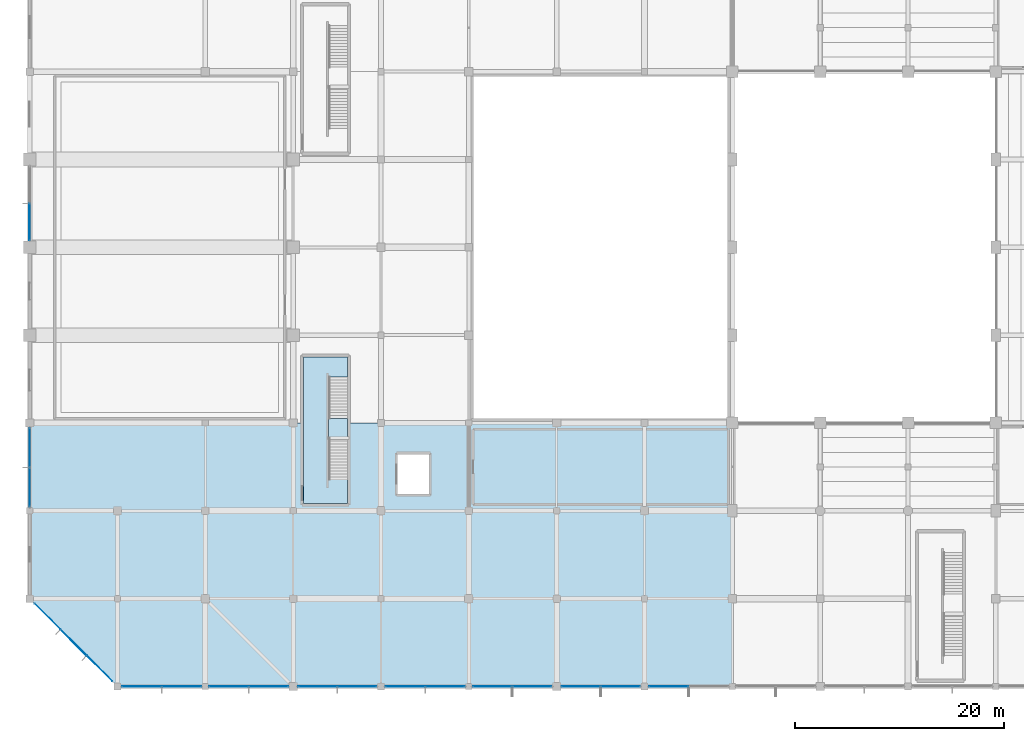
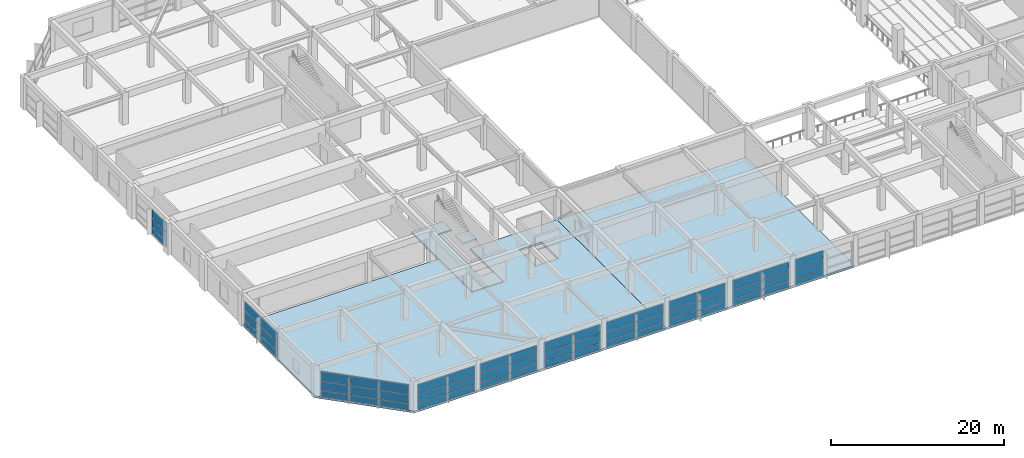
# One storey, part 42 of 62: 57 plates, 4 slabs, 11 elements without a shape of their own.
"""IFC4 building model written with IfcOpenShell, lengths in metres."""

from ifc_helpers import new_model, si_unit, direction, frame, origin, origin_2d, place, context, subcontext, project, spatial, polyline, rectangle, outline, extrude, material, layer, layer_set, type_object, element, aggregate, save


model = new_model("IFC4")

# Units and contexts
model_context = context("Model", 3, precision=1e-05, world=origin(), true_north=direction((0.0, 1.0)))
body_context = subcontext(model_context, "Body", "Model", "MODEL_VIEW")
ifc_project = project(units=[si_unit("LENGTHUNIT", "METRE"), si_unit("AREAUNIT", "SQUARE_METRE"), si_unit("VOLUMEUNIT", "CUBIC_METRE"), si_unit("PLANEANGLEUNIT", "RADIAN"), si_unit("MASSUNIT", "GRAM", prefix="KILO")], contexts=[model_context])

# Site, building, storey
site_placement = place(None, origin())
site = spatial("IfcSite", under=ifc_project, at=site_placement, CompositionType="ELEMENT")
building_placement = place(site_placement, origin())
building = spatial("IfcBuilding", under=site, at=building_placement, Name="Xuanlan Plaza Opera House", CompositionType="ELEMENT")
storey_placement = place(building_placement, frame((0.0, 0.0, 14.39990234375)))
storey = spatial("IfcBuildingStorey", under=building, at=storey_placement, Name="L03", CompositionType="ELEMENT", Elevation=14.39990234375)

# Curtain wall, plates
ifc_material_1 = material(Name="Anodised Aluminium 6063-T6 and Low-E Glass", Category="aluminium")
curtain_wall_type_1 = type_object("IfcCurtainWallType", Name="ENV-CW-CW-03", PredefinedType="USERDEFINED", material=ifc_material_1)
curtain_wall_1_placement = place(storey_placement, origin())
curtain_wall_1 = element("IfcCurtainWall", 1, at=curtain_wall_1_placement, inside=storey, type_object=curtain_wall_type_1, Name="Unitised Curtain Wall L03-002", ObjectType="UNITISED CURTAIN WALL", PredefinedType="USERDEFINED")
ifc_material_2 = material(Name="Laminated Acoustic Double Glazing", Category="glass")
ifc_layer_1 = layer(ifc_material_2, 0.028076171875)
ifc_layer_set_1 = layer_set([ifc_layer_1], Name="Laminated Acoustic Double Glazing")
plate_type_1 = type_object("IfcPlateType", Name="ENV-CWP-01", PredefinedType="CURTAIN_PANEL", material=ifc_layer_set_1)
plate_1_placement = place(storey_placement, frame((19.052490234375, 16.800048828125, 0.080078125), z_axis=(0.0, 0.0, 1.0), x_axis=(1.0, 0.0, 0.0)))
plate_1 = element("IfcPlate", 2, at=plate_1_placement, type_object=plate_type_1, Name="CW-03 panel 1.1", PredefinedType="CURTAIN_PANEL", context=body_context, shape_type="SweptSolid", body=[
    extrude(rectangle(XDim=3.72509765625, YDim=0.028076171875, at=origin_2d()), origin(), (0.0, 0.0, 1.0), 0.830078125),
])
plate_2_placement = place(storey_placement, frame((19.052490234375, 16.800048828125, 0.990234375), z_axis=(0.0, 0.0, 1.0), x_axis=(1.0, 0.0, 0.0)))
plate_2 = element("IfcPlate", 3, at=plate_2_placement, type_object=plate_type_1, Name="CW-03 panel 1.2", PredefinedType="CURTAIN_PANEL", context=body_context, shape_type="SweptSolid", body=[
    extrude(rectangle(XDim=3.72509765625, YDim=0.028076171875, at=origin_2d()), origin(), (0.0, 0.0, 1.0), 1.219970703125),
])
plate_3_placement = place(storey_placement, frame((19.052490234375, 16.800048828125, 2.2900390625), z_axis=(0.0, 0.0, 1.0), x_axis=(1.0, 0.0, 0.0)))
plate_3 = element("IfcPlate", 4, at=plate_3_placement, type_object=plate_type_1, Name="CW-03 panel 1.3", PredefinedType="CURTAIN_PANEL", context=body_context, shape_type="SweptSolid", body=[
    extrude(rectangle(XDim=3.72509765625, YDim=0.028076171875, at=origin_2d()), origin(), (0.0, 0.0, 1.0), 1.31005859375),
])
plate_4_placement = place(storey_placement, frame((22.847412109375, 16.800048828125, 0.080078125), z_axis=(0.0, 0.0, 1.0), x_axis=(1.0, 0.0, 0.0)))
plate_4 = element("IfcPlate", 5, at=plate_4_placement, type_object=plate_type_1, Name="CW-03 panel 2.1", PredefinedType="CURTAIN_PANEL", context=body_context, shape_type="SweptSolid", body=[
    extrude(rectangle(XDim=3.72509765625, YDim=0.028076171875, at=origin_2d()), origin(), (0.0, 0.0, 1.0), 0.830078125),
])
plate_5_placement = place(storey_placement, frame((22.847412109375, 16.800048828125, 0.990234375), z_axis=(0.0, 0.0, 1.0), x_axis=(1.0, 0.0, 0.0)))
plate_5 = element("IfcPlate", 6, at=plate_5_placement, type_object=plate_type_1, Name="CW-03 panel 2.2", PredefinedType="CURTAIN_PANEL", context=body_context, shape_type="SweptSolid", body=[
    extrude(rectangle(XDim=3.72509765625, YDim=0.028076171875, at=origin_2d()), origin(), (0.0, 0.0, 1.0), 1.219970703125),
])
plate_6_placement = place(storey_placement, frame((22.847412109375, 16.800048828125, 2.2900390625), z_axis=(0.0, 0.0, 1.0), x_axis=(1.0, 0.0, 0.0)))
plate_6 = element("IfcPlate", 7, at=plate_6_placement, type_object=plate_type_1, Name="CW-03 panel 2.3", PredefinedType="CURTAIN_PANEL", context=body_context, shape_type="SweptSolid", body=[
    extrude(rectangle(XDim=3.72509765625, YDim=0.028076171875, at=origin_2d()), origin(), (0.0, 0.0, 1.0), 1.31005859375),
])
aggregate(curtain_wall_1, [plate_1, plate_2, plate_3, plate_4, plate_5, plate_6])

curtain_wall_type_2 = type_object("IfcCurtainWallType", Name="ENV-CW-CW-06", PredefinedType="USERDEFINED", material=ifc_material_1)
curtain_wall_2_placement = place(storey_placement, origin())
curtain_wall_2 = element("IfcCurtainWall", 8, at=curtain_wall_2_placement, inside=storey, type_object=curtain_wall_type_2, Name="Acoustic Glazed Wall L03-007", ObjectType="ACOUSTIC GLAZED WALL", PredefinedType="USERDEFINED")
plate_7_placement = place(storey_placement, frame((61.114990234375, 16.800048828125, 0.080078125), z_axis=(0.0, 0.0, 1.0), x_axis=(1.0, 0.0, 0.0)))
plate_7 = element("IfcPlate", 9, at=plate_7_placement, type_object=plate_type_1, Name="CW-06 panel 1.1", PredefinedType="CURTAIN_PANEL", context=body_context, shape_type="SweptSolid", body=[
    extrude(rectangle(XDim=3.75, YDim=0.028076171875, at=origin_2d()), origin(), (0.0, 0.0, 1.0), 0.830078125),
])
plate_8_placement = place(storey_placement, frame((61.114990234375, 16.800048828125, 0.990234375), z_axis=(0.0, 0.0, 1.0), x_axis=(1.0, 0.0, 0.0)))
plate_8 = element("IfcPlate", 10, at=plate_8_placement, type_object=plate_type_1, Name="CW-06 panel 1.2", PredefinedType="CURTAIN_PANEL", context=body_context, shape_type="SweptSolid", body=[
    extrude(rectangle(XDim=3.75, YDim=0.028076171875, at=origin_2d()), origin(), (0.0, 0.0, 1.0), 1.219970703125),
])
plate_9_placement = place(storey_placement, frame((61.114990234375, 16.800048828125, 2.2900390625), z_axis=(0.0, 0.0, 1.0), x_axis=(1.0, 0.0, 0.0)))
plate_9 = element("IfcPlate", 11, at=plate_9_placement, type_object=plate_type_1, Name="CW-06 panel 1.3", PredefinedType="CURTAIN_PANEL", context=body_context, shape_type="SweptSolid", body=[
    extrude(rectangle(XDim=3.75, YDim=0.028076171875, at=origin_2d()), origin(), (0.0, 0.0, 1.0), 1.31005859375),
])
aggregate(curtain_wall_2, [plate_7, plate_8, plate_9])

curtain_wall_type_3 = type_object("IfcCurtainWallType", Name="ENV-CW-CW-01", PredefinedType="USERDEFINED", material=ifc_material_1)
curtain_wall_3_placement = place(storey_placement, origin())
curtain_wall_3 = element("IfcCurtainWall", 12, at=curtain_wall_3_placement, inside=storey, type_object=curtain_wall_type_3, Name="Unitised Curtain Wall L03-004", ObjectType="UNITISED CURTAIN WALL", PredefinedType="USERDEFINED")
ifc_layer_2 = layer(ifc_material_2, 0.031982421875)
ifc_layer_set_2 = layer_set([ifc_layer_2], Name="Laminated Acoustic Double Glazing")
plate_type_2 = type_object("IfcPlateType", Name="ENV-CWP-02", PredefinedType="CURTAIN_PANEL", material=ifc_layer_set_2)
plate_10_placement = place(storey_placement, frame((35.91748046875, 16.800048828125, 0.0751953125), z_axis=(0.0, 0.0, 1.0), x_axis=(1.0, 0.0, 0.0)))
plate_10 = element("IfcPlate", 13, at=plate_10_placement, type_object=plate_type_2, Name="CW-01 panel 1.1", PredefinedType="CURTAIN_PANEL", context=body_context, shape_type="SweptSolid", body=[
    extrude(rectangle(XDim=3.735107421875, YDim=0.031982421875, at=origin_2d()), origin(), (0.0, 0.0, 1.0), 0.83740234375),
])
plate_11_placement = place(storey_placement, frame((35.91748046875, 16.800048828125, 0.987548828125), z_axis=(0.0, 0.0, 1.0), x_axis=(1.0, 0.0, 0.0)))
plate_11 = element("IfcPlate", 14, at=plate_11_placement, type_object=plate_type_2, Name="CW-01 panel 1.2", PredefinedType="CURTAIN_PANEL", context=body_context, shape_type="SweptSolid", body=[
    extrude(rectangle(XDim=3.735107421875, YDim=0.031982421875, at=origin_2d()), origin(), (0.0, 0.0, 1.0), 1.22509765625),
])
plate_12_placement = place(storey_placement, frame((35.91748046875, 16.800048828125, 2.28759765625), z_axis=(0.0, 0.0, 1.0), x_axis=(1.0, 0.0, 0.0)))
plate_12 = element("IfcPlate", 15, at=plate_12_placement, type_object=plate_type_2, Name="CW-01 panel 1.3", PredefinedType="CURTAIN_PANEL", context=body_context, shape_type="SweptSolid", body=[
    extrude(rectangle(XDim=3.735107421875, YDim=0.031982421875, at=origin_2d()), origin(), (0.0, 0.0, 1.0), 1.3173828125),
])
plate_13_placement = place(storey_placement, frame((39.732421875, 16.800048828125, 0.0751953125), z_axis=(0.0, 0.0, 1.0), x_axis=(1.0, 0.0, 0.0)))
plate_13 = element("IfcPlate", 16, at=plate_13_placement, type_object=plate_type_2, Name="CW-01 panel 2.1", PredefinedType="CURTAIN_PANEL", context=body_context, shape_type="SweptSolid", body=[
    extrude(rectangle(XDim=3.735107421875, YDim=0.031982421875, at=origin_2d()), origin(), (0.0, 0.0, 1.0), 0.83740234375),
])
plate_14_placement = place(storey_placement, frame((39.732421875, 16.800048828125, 0.987548828125), z_axis=(0.0, 0.0, 1.0), x_axis=(1.0, 0.0, 0.0)))
plate_14 = element("IfcPlate", 17, at=plate_14_placement, type_object=plate_type_2, Name="CW-01 panel 2.2", PredefinedType="CURTAIN_PANEL", context=body_context, shape_type="SweptSolid", body=[
    extrude(rectangle(XDim=3.735107421875, YDim=0.031982421875, at=origin_2d()), origin(), (0.0, 0.0, 1.0), 1.22509765625),
])
plate_15_placement = place(storey_placement, frame((39.732421875, 16.800048828125, 2.28759765625), z_axis=(0.0, 0.0, 1.0), x_axis=(1.0, 0.0, 0.0)))
plate_15 = element("IfcPlate", 18, at=plate_15_placement, type_object=plate_type_2, Name="CW-01 panel 2.3", PredefinedType="CURTAIN_PANEL", context=body_context, shape_type="SweptSolid", body=[
    extrude(rectangle(XDim=3.735107421875, YDim=0.031982421875, at=origin_2d()), origin(), (0.0, 0.0, 1.0), 1.3173828125),
])
aggregate(curtain_wall_3, [plate_10, plate_11, plate_12, plate_13, plate_14, plate_15])

curtain_wall_4_placement = place(storey_placement, origin())
curtain_wall_4 = element("IfcCurtainWall", 19, at=curtain_wall_4_placement, inside=storey, type_object=curtain_wall_type_1, Name="Unitised Curtain Wall L03-054", ObjectType="UNITISED CURTAIN WALL", PredefinedType="USERDEFINED")
plate_16_placement = place(storey_placement, frame((0.0, 39.64501953125, 0.0751953125), z_axis=(0.0, 0.0, 1.0), x_axis=(0.0, -1.0, 0.0)))
plate_16 = element("IfcPlate", 20, at=plate_16_placement, type_object=plate_type_2, Name="CW-03 panel 1.1", PredefinedType="CURTAIN_PANEL", context=body_context, shape_type="SweptSolid", body=[
    extrude(rectangle(XDim=3.7099609375, YDim=0.031982421875, at=origin_2d()), origin(), (0.0, 0.0, 1.0), 0.83740234375),
])
plate_17_placement = place(storey_placement, frame((0.0, 39.64501953125, 0.987548828125), z_axis=(0.0, 0.0, 1.0), x_axis=(0.0, -1.0, 0.0)))
plate_17 = element("IfcPlate", 21, at=plate_17_placement, type_object=plate_type_2, Name="CW-03 panel 1.2", PredefinedType="CURTAIN_PANEL", context=body_context, shape_type="SweptSolid", body=[
    extrude(rectangle(XDim=3.7099609375, YDim=0.031982421875, at=origin_2d()), origin(), (0.0, 0.0, 1.0), 1.22509765625),
])
plate_18_placement = place(storey_placement, frame((0.0, 39.64501953125, 2.28759765625), z_axis=(0.0, 0.0, 1.0), x_axis=(0.0, -1.0, 0.0)))
plate_18 = element("IfcPlate", 22, at=plate_18_placement, type_object=plate_type_2, Name="CW-03 panel 1.3", PredefinedType="CURTAIN_PANEL", context=body_context, shape_type="SweptSolid", body=[
    extrude(rectangle(XDim=3.7099609375, YDim=0.031982421875, at=origin_2d()), origin(), (0.0, 0.0, 1.0), 1.3173828125),
])
plate_19_placement = place(storey_placement, frame((0.0, 35.85498046875, 0.0751953125), z_axis=(0.0, 0.0, 1.0), x_axis=(0.0, -1.0, 0.0)))
plate_19 = element("IfcPlate", 23, at=plate_19_placement, type_object=plate_type_2, Name="CW-03 panel 2.1", PredefinedType="CURTAIN_PANEL", context=body_context, shape_type="SweptSolid", body=[
    extrude(rectangle(XDim=3.7099609375, YDim=0.031982421875, at=origin_2d()), origin(), (0.0, 0.0, 1.0), 0.83740234375),
])
plate_20_placement = place(storey_placement, frame((0.0, 35.85498046875, 0.987548828125), z_axis=(0.0, 0.0, 1.0), x_axis=(0.0, -1.0, 0.0)))
plate_20 = element("IfcPlate", 24, at=plate_20_placement, type_object=plate_type_2, Name="CW-03 panel 2.2", PredefinedType="CURTAIN_PANEL", context=body_context, shape_type="SweptSolid", body=[
    extrude(rectangle(XDim=3.7099609375, YDim=0.031982421875, at=origin_2d()), origin(), (0.0, 0.0, 1.0), 1.22509765625),
])
plate_21_placement = place(storey_placement, frame((0.0, 35.85498046875, 2.28759765625), z_axis=(0.0, 0.0, 1.0), x_axis=(0.0, -1.0, 0.0)))
plate_21 = element("IfcPlate", 25, at=plate_21_placement, type_object=plate_type_2, Name="CW-03 panel 2.3", PredefinedType="CURTAIN_PANEL", context=body_context, shape_type="SweptSolid", body=[
    extrude(rectangle(XDim=3.7099609375, YDim=0.031982421875, at=origin_2d()), origin(), (0.0, 0.0, 1.0), 1.3173828125),
])
aggregate(curtain_wall_4, [plate_16, plate_17, plate_18, plate_19, plate_20, plate_21])

curtain_wall_type_4 = type_object("IfcCurtainWallType", Name="ENV-CW-CW-02", PredefinedType="USERDEFINED", material=ifc_material_1)
curtain_wall_5_placement = place(storey_placement, origin())
curtain_wall_5 = element("IfcCurtainWall", 26, at=curtain_wall_5_placement, inside=storey, type_object=curtain_wall_type_4, Name="Unitised Curtain Wall L03-001", ObjectType="UNITISED CURTAIN WALL", PredefinedType="USERDEFINED")
ifc_layer_3 = layer(ifc_material_2, 0.035888671875)
ifc_layer_set_3 = layer_set([ifc_layer_3], Name="Laminated Acoustic Double Glazing")
plate_type_3 = type_object("IfcPlateType", Name="ENV-CWP-03", PredefinedType="CURTAIN_PANEL", material=ifc_layer_set_3)
plate_22_placement = place(storey_placement, frame((10.7138671875, 16.800048828125, 0.0703125), z_axis=(0.0, 0.0, 1.0), x_axis=(1.0, 0.0, 0.0)))
plate_22 = element("IfcPlate", 27, at=plate_22_placement, type_object=plate_type_3, Name="CW-02 panel 1.1", PredefinedType="CURTAIN_PANEL", context=body_context, shape_type="SweptSolid", body=[
    extrude(rectangle(XDim=3.757568359375, YDim=0.035888671875, at=origin_2d()), origin(), (0.0, 0.0, 1.0), 0.844970703125),
])
plate_23_placement = place(storey_placement, frame((10.7138671875, 16.800048828125, 0.985107421875), z_axis=(0.0, 0.0, 1.0), x_axis=(1.0, 0.0, 0.0)))
plate_23 = element("IfcPlate", 28, at=plate_23_placement, type_object=plate_type_3, Name="CW-02 panel 1.2", PredefinedType="CURTAIN_PANEL", context=body_context, shape_type="SweptSolid", body=[
    extrude(rectangle(XDim=3.757568359375, YDim=0.035888671875, at=origin_2d()), origin(), (0.0, 0.0, 1.0), 1.22998046875),
])
plate_24_placement = place(storey_placement, frame((10.7138671875, 16.800048828125, 2.28515625), z_axis=(0.0, 0.0, 1.0), x_axis=(1.0, 0.0, 0.0)))
plate_24 = element("IfcPlate", 29, at=plate_24_placement, type_object=plate_type_3, Name="CW-02 panel 1.3", PredefinedType="CURTAIN_PANEL", context=body_context, shape_type="SweptSolid", body=[
    extrude(rectangle(XDim=3.757568359375, YDim=0.035888671875, at=origin_2d()), origin(), (0.0, 0.0, 1.0), 1.324951171875),
])
plate_25_placement = place(storey_placement, frame((14.5361328125, 16.800048828125, 0.0703125), z_axis=(0.0, 0.0, 1.0), x_axis=(1.0, 0.0, 0.0)))
plate_25 = element("IfcPlate", 30, at=plate_25_placement, type_object=plate_type_3, Name="CW-02 panel 2.1", PredefinedType="CURTAIN_PANEL", context=body_context, shape_type="SweptSolid", body=[
    extrude(rectangle(XDim=3.757568359375, YDim=0.035888671875, at=origin_2d()), origin(), (0.0, 0.0, 1.0), 0.844970703125),
])
plate_26_placement = place(storey_placement, frame((14.5361328125, 16.800048828125, 0.985107421875), z_axis=(0.0, 0.0, 1.0), x_axis=(1.0, 0.0, 0.0)))
plate_26 = element("IfcPlate", 31, at=plate_26_placement, type_object=plate_type_3, Name="CW-02 panel 2.2", PredefinedType="CURTAIN_PANEL", context=body_context, shape_type="SweptSolid", body=[
    extrude(rectangle(XDim=3.757568359375, YDim=0.035888671875, at=origin_2d()), origin(), (0.0, 0.0, 1.0), 1.22998046875),
])
plate_27_placement = place(storey_placement, frame((14.5361328125, 16.800048828125, 2.28515625), z_axis=(0.0, 0.0, 1.0), x_axis=(1.0, 0.0, 0.0)))
plate_27 = element("IfcPlate", 32, at=plate_27_placement, type_object=plate_type_3, Name="CW-02 panel 2.3", PredefinedType="CURTAIN_PANEL", context=body_context, shape_type="SweptSolid", body=[
    extrude(rectangle(XDim=3.757568359375, YDim=0.035888671875, at=origin_2d()), origin(), (0.0, 0.0, 1.0), 1.324951171875),
])
aggregate(curtain_wall_5, [plate_22, plate_23, plate_24, plate_25, plate_26, plate_27])

curtain_wall_6_placement = place(storey_placement, origin())
curtain_wall_6 = element("IfcCurtainWall", 33, at=curtain_wall_6_placement, inside=storey, type_object=curtain_wall_type_1, Name="Unitised Curtain Wall L03-006", ObjectType="UNITISED CURTAIN WALL", PredefinedType="USERDEFINED")
plate_28_placement = place(storey_placement, frame((52.73876953125, 16.800048828125, 0.0703125), z_axis=(0.0, 0.0, 1.0), x_axis=(1.0, 0.0, 0.0)))
plate_28 = element("IfcPlate", 34, at=plate_28_placement, type_object=plate_type_3, Name="CW-03 panel 1.1", PredefinedType="CURTAIN_PANEL", context=body_context, shape_type="SweptSolid", body=[
    extrude(rectangle(XDim=3.70751953125, YDim=0.035888671875, at=origin_2d()), origin(), (0.0, 0.0, 1.0), 0.844970703125),
])
plate_29_placement = place(storey_placement, frame((52.73876953125, 16.800048828125, 0.985107421875), z_axis=(0.0, 0.0, 1.0), x_axis=(1.0, 0.0, 0.0)))
plate_29 = element("IfcPlate", 35, at=plate_29_placement, type_object=plate_type_3, Name="CW-03 panel 1.2", PredefinedType="CURTAIN_PANEL", context=body_context, shape_type="SweptSolid", body=[
    extrude(rectangle(XDim=3.70751953125, YDim=0.035888671875, at=origin_2d()), origin(), (0.0, 0.0, 1.0), 1.22998046875),
])
plate_30_placement = place(storey_placement, frame((52.73876953125, 16.800048828125, 2.28515625), z_axis=(0.0, 0.0, 1.0), x_axis=(1.0, 0.0, 0.0)))
plate_30 = element("IfcPlate", 36, at=plate_30_placement, type_object=plate_type_3, Name="CW-03 panel 1.3", PredefinedType="CURTAIN_PANEL", context=body_context, shape_type="SweptSolid", body=[
    extrude(rectangle(XDim=3.70751953125, YDim=0.035888671875, at=origin_2d()), origin(), (0.0, 0.0, 1.0), 1.324951171875),
])
plate_31_placement = place(storey_placement, frame((56.51123046875, 16.800048828125, 0.0703125), z_axis=(0.0, 0.0, 1.0), x_axis=(1.0, 0.0, 0.0)))
plate_31 = element("IfcPlate", 37, at=plate_31_placement, type_object=plate_type_3, Name="CW-03 panel 2.1", PredefinedType="CURTAIN_PANEL", context=body_context, shape_type="SweptSolid", body=[
    extrude(rectangle(XDim=3.70751953125, YDim=0.035888671875, at=origin_2d()), origin(), (0.0, 0.0, 1.0), 0.844970703125),
])
plate_32_placement = place(storey_placement, frame((56.51123046875, 16.800048828125, 0.985107421875), z_axis=(0.0, 0.0, 1.0), x_axis=(1.0, 0.0, 0.0)))
plate_32 = element("IfcPlate", 38, at=plate_32_placement, type_object=plate_type_3, Name="CW-03 panel 2.2", PredefinedType="CURTAIN_PANEL", context=body_context, shape_type="SweptSolid", body=[
    extrude(rectangle(XDim=3.70751953125, YDim=0.035888671875, at=origin_2d()), origin(), (0.0, 0.0, 1.0), 1.22998046875),
])
plate_33_placement = place(storey_placement, frame((56.51123046875, 16.800048828125, 2.28515625), z_axis=(0.0, 0.0, 1.0), x_axis=(1.0, 0.0, 0.0)))
plate_33 = element("IfcPlate", 39, at=plate_33_placement, type_object=plate_type_3, Name="CW-03 panel 2.3", PredefinedType="CURTAIN_PANEL", context=body_context, shape_type="SweptSolid", body=[
    extrude(rectangle(XDim=3.70751953125, YDim=0.035888671875, at=origin_2d()), origin(), (0.0, 0.0, 1.0), 1.324951171875),
])
aggregate(curtain_wall_6, [plate_28, plate_29, plate_30, plate_31, plate_32, plate_33])

curtain_wall_type_5 = type_object("IfcCurtainWallType", Name="ENV-CW-CW-04", PredefinedType="USERDEFINED", material=ifc_material_1)
curtain_wall_7_placement = place(storey_placement, origin())
curtain_wall_7 = element("IfcCurtainWall", 40, at=curtain_wall_7_placement, inside=storey, type_object=curtain_wall_type_5, Name="Unitised Curtain Wall L03-051", ObjectType="UNITISED CURTAIN WALL", PredefinedType="USERDEFINED")
plate_34_placement = place(storey_placement, frame((0.0, 61.226318359375, 0.0703125), z_axis=(0.0, 0.0, 1.0), x_axis=(0.0, -1.0, 0.0)))
plate_34 = element("IfcPlate", 41, at=plate_34_placement, type_object=plate_type_3, Name="CW-04 panel 2.1", PredefinedType="CURTAIN_PANEL", context=body_context, shape_type="SweptSolid", body=[
    extrude(rectangle(XDim=3.482421875, YDim=0.035888671875, at=origin_2d()), origin(), (0.0, 0.0, 1.0), 0.844970703125),
])
plate_35_placement = place(storey_placement, frame((0.0, 61.226318359375, 0.985107421875), z_axis=(0.0, 0.0, 1.0), x_axis=(0.0, -1.0, 0.0)))
plate_35 = element("IfcPlate", 42, at=plate_35_placement, type_object=plate_type_3, Name="CW-04 panel 2.2", PredefinedType="CURTAIN_PANEL", context=body_context, shape_type="SweptSolid", body=[
    extrude(rectangle(XDim=3.482421875, YDim=0.035888671875, at=origin_2d()), origin(), (0.0, 0.0, 1.0), 1.22998046875),
])
plate_36_placement = place(storey_placement, frame((0.0, 61.226318359375, 2.28515625), z_axis=(0.0, 0.0, 1.0), x_axis=(0.0, -1.0, 0.0)))
plate_36 = element("IfcPlate", 43, at=plate_36_placement, type_object=plate_type_3, Name="CW-04 panel 2.3", PredefinedType="CURTAIN_PANEL", context=body_context, shape_type="SweptSolid", body=[
    extrude(rectangle(XDim=3.482421875, YDim=0.035888671875, at=origin_2d()), origin(), (0.0, 0.0, 1.0), 1.324951171875),
])
aggregate(curtain_wall_7, [plate_34, plate_35, plate_36])

curtain_wall_8_placement = place(storey_placement, origin())
curtain_wall_8 = element("IfcCurtainWall", 44, at=curtain_wall_8_placement, inside=storey, type_object=curtain_wall_type_3, Name="Unitised Curtain Wall L03-056", ObjectType="UNITISED CURTAIN WALL", PredefinedType="USERDEFINED")
plate_37_placement = place(storey_placement, frame((1.7109375, 23.4892578125, 0.0703125), z_axis=(0.0, 0.0, 1.0), x_axis=(0.707106781187, -0.707106781187, 0.0)))
plate_37 = element("IfcPlate", 45, at=plate_37_placement, type_object=plate_type_3, Name="CW-01 panel 1.1", PredefinedType="CURTAIN_PANEL", context=body_context, shape_type="SweptSolid", body=[
    extrude(rectangle(XDim=3.43896484375, YDim=0.035888671875, at=origin_2d()), origin(), (0.0, 0.0, 1.0), 0.844970703125),
])
plate_38_placement = place(storey_placement, frame((1.7109375, 23.4892578125, 0.985107421875), z_axis=(0.0, 0.0, 1.0), x_axis=(0.707106781187, -0.707106781187, 0.0)))
plate_38 = element("IfcPlate", 46, at=plate_38_placement, type_object=plate_type_3, Name="CW-01 panel 1.2", PredefinedType="CURTAIN_PANEL", context=body_context, shape_type="SweptSolid", body=[
    extrude(rectangle(XDim=3.43896484375, YDim=0.035888671875, at=origin_2d()), origin(), (0.0, 0.0, 1.0), 1.22998046875),
])
plate_39_placement = place(storey_placement, frame((1.7109375, 23.4892578125, 2.28515625), z_axis=(0.0, 0.0, 1.0), x_axis=(0.707106781187, -0.707106781187, 0.0)))
plate_39 = element("IfcPlate", 47, at=plate_39_placement, type_object=plate_type_3, Name="CW-01 panel 1.3", PredefinedType="CURTAIN_PANEL", context=body_context, shape_type="SweptSolid", body=[
    extrude(rectangle(XDim=3.43896484375, YDim=0.035888671875, at=origin_2d()), origin(), (0.0, 0.0, 1.0), 1.324951171875),
])
plate_40_placement = place(storey_placement, frame((4.199951171875, 21.0, 0.0703125), z_axis=(0.0, 0.0, 1.0), x_axis=(0.707106781187, -0.707106781187, 0.0)))
plate_40 = element("IfcPlate", 48, at=plate_40_placement, type_object=plate_type_3, Name="CW-01 panel 2.1", PredefinedType="CURTAIN_PANEL", context=body_context, shape_type="SweptSolid", body=[
    extrude(rectangle(XDim=3.471435546875, YDim=0.035888671875, at=origin_2d()), origin(), (0.0, 0.0, 1.0), 0.844970703125),
])
plate_41_placement = place(storey_placement, frame((4.199951171875, 21.0, 0.985107421875), z_axis=(0.0, 0.0, 1.0), x_axis=(0.707106781187, -0.707106781187, 0.0)))
plate_41 = element("IfcPlate", 49, at=plate_41_placement, type_object=plate_type_3, Name="CW-01 panel 2.2", PredefinedType="CURTAIN_PANEL", context=body_context, shape_type="SweptSolid", body=[
    extrude(rectangle(XDim=3.471435546875, YDim=0.035888671875, at=origin_2d()), origin(), (0.0, 0.0, 1.0), 1.22998046875),
])
plate_42_placement = place(storey_placement, frame((4.199951171875, 21.0, 2.28515625), z_axis=(0.0, 0.0, 1.0), x_axis=(0.707106781187, -0.707106781187, 0.0)))
plate_42 = element("IfcPlate", 50, at=plate_42_placement, type_object=plate_type_3, Name="CW-01 panel 2.3", PredefinedType="CURTAIN_PANEL", context=body_context, shape_type="SweptSolid", body=[
    extrude(rectangle(XDim=3.471435546875, YDim=0.035888671875, at=origin_2d()), origin(), (0.0, 0.0, 1.0), 1.324951171875),
])
plate_43_placement = place(storey_placement, frame((6.689208984375, 18.5107421875, 0.0703125), z_axis=(0.0, 0.0, 1.0), x_axis=(0.707106781187, -0.707106781187, 0.0)))
plate_43 = element("IfcPlate", 51, at=plate_43_placement, type_object=plate_type_3, Name="CW-01 panel 3.1", PredefinedType="CURTAIN_PANEL", context=body_context, shape_type="SweptSolid", body=[
    extrude(rectangle(XDim=3.43896484375, YDim=0.035888671875, at=origin_2d()), origin(), (0.0, 0.0, 1.0), 0.844970703125),
])
plate_44_placement = place(storey_placement, frame((6.689208984375, 18.5107421875, 0.985107421875), z_axis=(0.0, 0.0, 1.0), x_axis=(0.707106781187, -0.707106781187, 0.0)))
plate_44 = element("IfcPlate", 52, at=plate_44_placement, type_object=plate_type_3, Name="CW-01 panel 3.2", PredefinedType="CURTAIN_PANEL", context=body_context, shape_type="SweptSolid", body=[
    extrude(rectangle(XDim=3.43896484375, YDim=0.035888671875, at=origin_2d()), origin(), (0.0, 0.0, 1.0), 1.22998046875),
])
plate_45_placement = place(storey_placement, frame((6.689208984375, 18.5107421875, 2.28515625), z_axis=(0.0, 0.0, 1.0), x_axis=(0.707106781187, -0.707106781187, 0.0)))
plate_45 = element("IfcPlate", 53, at=plate_45_placement, type_object=plate_type_3, Name="CW-01 panel 3.3", PredefinedType="CURTAIN_PANEL", context=body_context, shape_type="SweptSolid", body=[
    extrude(rectangle(XDim=3.43896484375, YDim=0.035888671875, at=origin_2d()), origin(), (0.0, 0.0, 1.0), 1.324951171875),
])
aggregate(curtain_wall_8, [plate_37, plate_38, plate_39, plate_40, plate_41, plate_42, plate_43, plate_44, plate_45])

curtain_wall_9_placement = place(storey_placement, origin())
curtain_wall_9 = element("IfcCurtainWall", 54, at=curtain_wall_9_placement, inside=storey, type_object=curtain_wall_type_5, Name="Unitised Curtain Wall L03-003", ObjectType="UNITISED CURTAIN WALL", PredefinedType="USERDEFINED")
ifc_layer_4 = layer(ifc_material_2, 0.0400390625)
ifc_layer_set_4 = layer_set([ifc_layer_4], Name="Laminated Acoustic Double Glazing")
plate_type_4 = type_object("IfcPlateType", Name="ENV-CWP-04", PredefinedType="CURTAIN_PANEL", material=ifc_layer_set_4)
plate_46_placement = place(storey_placement, frame((27.541259765625, 16.800048828125, 0.065185546875), z_axis=(0.0, 0.0, 1.0), x_axis=(1.0, 0.0, 0.0)))
plate_46 = element("IfcPlate", 55, at=plate_46_placement, type_object=plate_type_4, Name="CW-04 panel 1.1", PredefinedType="CURTAIN_PANEL", context=body_context, shape_type="SweptSolid", body=[
    extrude(rectangle(XDim=3.6923828125, YDim=0.0400390625, at=origin_2d()), origin(), (0.0, 0.0, 1.0), 0.8525390625),
])
plate_47_placement = place(storey_placement, frame((27.541259765625, 16.800048828125, 0.982421875), z_axis=(0.0, 0.0, 1.0), x_axis=(1.0, 0.0, 0.0)))
plate_47 = element("IfcPlate", 56, at=plate_47_placement, type_object=plate_type_4, Name="CW-04 panel 1.2", PredefinedType="CURTAIN_PANEL", context=body_context, shape_type="SweptSolid", body=[
    extrude(rectangle(XDim=3.6923828125, YDim=0.0400390625, at=origin_2d()), origin(), (0.0, 0.0, 1.0), 1.235107421875),
])
plate_48_placement = place(storey_placement, frame((27.541259765625, 16.800048828125, 2.282470703125), z_axis=(0.0, 0.0, 1.0), x_axis=(1.0, 0.0, 0.0)))
plate_48 = element("IfcPlate", 57, at=plate_48_placement, type_object=plate_type_4, Name="CW-04 panel 1.3", PredefinedType="CURTAIN_PANEL", context=body_context, shape_type="SweptSolid", body=[
    extrude(rectangle(XDim=3.6923828125, YDim=0.0400390625, at=origin_2d()), origin(), (0.0, 0.0, 1.0), 1.33251953125),
])
plate_49_placement = place(storey_placement, frame((31.308837890625, 16.800048828125, 0.065185546875), z_axis=(0.0, 0.0, 1.0), x_axis=(1.0, 0.0, 0.0)))
plate_49 = element("IfcPlate", 58, at=plate_49_placement, type_object=plate_type_4, Name="CW-04 panel 2.1", PredefinedType="CURTAIN_PANEL", context=body_context, shape_type="SweptSolid", body=[
    extrude(rectangle(XDim=3.6923828125, YDim=0.0400390625, at=origin_2d()), origin(), (0.0, 0.0, 1.0), 0.8525390625),
])
plate_50_placement = place(storey_placement, frame((31.308837890625, 16.800048828125, 0.982421875), z_axis=(0.0, 0.0, 1.0), x_axis=(1.0, 0.0, 0.0)))
plate_50 = element("IfcPlate", 59, at=plate_50_placement, type_object=plate_type_4, Name="CW-04 panel 2.2", PredefinedType="CURTAIN_PANEL", context=body_context, shape_type="SweptSolid", body=[
    extrude(rectangle(XDim=3.6923828125, YDim=0.0400390625, at=origin_2d()), origin(), (0.0, 0.0, 1.0), 1.235107421875),
])
plate_51_placement = place(storey_placement, frame((31.308837890625, 16.800048828125, 2.282470703125), z_axis=(0.0, 0.0, 1.0), x_axis=(1.0, 0.0, 0.0)))
plate_51 = element("IfcPlate", 60, at=plate_51_placement, type_object=plate_type_4, Name="CW-04 panel 2.3", PredefinedType="CURTAIN_PANEL", context=body_context, shape_type="SweptSolid", body=[
    extrude(rectangle(XDim=3.6923828125, YDim=0.0400390625, at=origin_2d()), origin(), (0.0, 0.0, 1.0), 1.33251953125),
])
aggregate(curtain_wall_9, [plate_46, plate_47, plate_48, plate_49, plate_50, plate_51])

curtain_wall_10_placement = place(storey_placement, origin())
curtain_wall_10 = element("IfcCurtainWall", 61, at=curtain_wall_10_placement, inside=storey, type_object=curtain_wall_type_4, Name="Unitised Curtain Wall L03-005", ObjectType="UNITISED CURTAIN WALL", PredefinedType="USERDEFINED")
ifc_layer_5 = layer(ifc_material_2, 0.0439453125)
ifc_layer_set_5 = layer_set([ifc_layer_5], Name="Laminated Acoustic Double Glazing")
plate_type_5 = type_object("IfcPlateType", Name="ENV-CWP-05", PredefinedType="CURTAIN_PANEL", material=ifc_layer_set_5)
plate_52_placement = place(storey_placement, frame((44.257568359375, 16.800048828125, 0.090087890625), z_axis=(0.0, 0.0, 1.0), x_axis=(1.0, 0.0, 0.0)))
plate_52 = element("IfcPlate", 62, at=plate_52_placement, type_object=plate_type_5, Name="CW-02 panel 1.1", PredefinedType="CURTAIN_PANEL", context=body_context, shape_type="SweptSolid", body=[
    extrude(rectangle(XDim=3.695068359375, YDim=0.0439453125, at=origin_2d()), origin(), (0.0, 0.0, 1.0), 0.81494140625),
])
plate_53_placement = place(storey_placement, frame((44.257568359375, 16.800048828125, 0.9951171875), z_axis=(0.0, 0.0, 1.0), x_axis=(1.0, 0.0, 0.0)))
plate_53 = element("IfcPlate", 63, at=plate_53_placement, type_object=plate_type_5, Name="CW-02 panel 1.2", PredefinedType="CURTAIN_PANEL", context=body_context, shape_type="SweptSolid", body=[
    extrude(rectangle(XDim=3.695068359375, YDim=0.0439453125, at=origin_2d()), origin(), (0.0, 0.0, 1.0), 1.2099609375),
])
plate_54_placement = place(storey_placement, frame((44.257568359375, 16.800048828125, 2.295166015625), z_axis=(0.0, 0.0, 1.0), x_axis=(1.0, 0.0, 0.0)))
plate_54 = element("IfcPlate", 64, at=plate_54_placement, type_object=plate_type_5, Name="CW-02 panel 1.3", PredefinedType="CURTAIN_PANEL", context=body_context, shape_type="SweptSolid", body=[
    extrude(rectangle(XDim=3.695068359375, YDim=0.0439453125, at=origin_2d()), origin(), (0.0, 0.0, 1.0), 1.294921875),
])
plate_55_placement = place(storey_placement, frame((48.04248046875, 16.800048828125, 0.090087890625), z_axis=(0.0, 0.0, 1.0), x_axis=(1.0, 0.0, 0.0)))
plate_55 = element("IfcPlate", 65, at=plate_55_placement, type_object=plate_type_5, Name="CW-02 panel 2.1", PredefinedType="CURTAIN_PANEL", context=body_context, shape_type="SweptSolid", body=[
    extrude(rectangle(XDim=3.695068359375, YDim=0.0439453125, at=origin_2d()), origin(), (0.0, 0.0, 1.0), 0.81494140625),
])
plate_56_placement = place(storey_placement, frame((48.04248046875, 16.800048828125, 0.9951171875), z_axis=(0.0, 0.0, 1.0), x_axis=(1.0, 0.0, 0.0)))
plate_56 = element("IfcPlate", 66, at=plate_56_placement, type_object=plate_type_5, Name="CW-02 panel 2.2", PredefinedType="CURTAIN_PANEL", context=body_context, shape_type="SweptSolid", body=[
    extrude(rectangle(XDim=3.695068359375, YDim=0.0439453125, at=origin_2d()), origin(), (0.0, 0.0, 1.0), 1.2099609375),
])
plate_57_placement = place(storey_placement, frame((48.04248046875, 16.800048828125, 2.295166015625), z_axis=(0.0, 0.0, 1.0), x_axis=(1.0, 0.0, 0.0)))
plate_57 = element("IfcPlate", 67, at=plate_57_placement, type_object=plate_type_5, Name="CW-02 panel 2.3", PredefinedType="CURTAIN_PANEL", context=body_context, shape_type="SweptSolid", body=[
    extrude(rectangle(XDim=3.695068359375, YDim=0.0439453125, at=origin_2d()), origin(), (0.0, 0.0, 1.0), 1.294921875),
])
aggregate(curtain_wall_10, [plate_52, plate_53, plate_54, plate_55, plate_56, plate_57])

# Stair, slabs
ifc_material_3 = material(Name="Concrete C40", Category="concrete")
stair_type = type_object("IfcStairType", Name="INT-ST-STR-P180", PredefinedType="STRAIGHT_RUN_STAIR", material=ifc_material_3)
stair_placement = place(storey_placement, origin())
stair = element("IfcStair", 68, at=stair_placement, inside=storey, type_object=stair_type, Name="Protected Exit Stair ST-P1 L03", PredefinedType="STRAIGHT_RUN_STAIR")
ifc_layer_6 = layer(ifc_material_3, 0.199951171875)
ifc_layer_set_6 = layer_set([ifc_layer_6], Name="Concrete C40")
slab_type_1 = type_object("IfcSlabType", Name="INT-SLB-LND-20", PredefinedType="LANDING", material=ifc_layer_set_6)
slab_1_placement = place(storey_placement, frame((0.0, 0.0, 2.050048828125)))
slab_1 = element("IfcSlab", 69, at=slab_1_placement, type_object=slab_type_1, Name="ST-P1-L03 landing 1", PredefinedType="LANDING", context=body_context, shape_type="SweptSolid", body=[
    extrude(outline(polyline([(28.60009765625, 40.534912109375), (30.39990234375, 40.534912109375), (30.39990234375, 42.43505859375), (28.60009765625, 42.43505859375), (28.60009765625, 40.534912109375)])), origin(), (0.0, 0.0, 1.0), 0.199951171875),
])
slab_2_placement = place(storey_placement, frame((0.0, 0.0, -0.199951171875)))
slab_2 = element("IfcSlab", 70, at=slab_2_placement, type_object=slab_type_1, Name="ST-P1-L03 landing 2", PredefinedType="LANDING", context=body_context, shape_type="SweptSolid", body=[
    extrude(outline(polyline([(26.199951171875, 34.300048828125), (30.39990234375, 34.300048828125), (30.39990234375, 36.594970703125), (28.60009765625, 36.594970703125), (28.60009765625, 46.375), (30.39990234375, 46.375), (30.39990234375, 48.300048828125), (26.199951171875, 48.300048828125), (26.199951171875, 34.300048828125)])), origin(), (0.0, 0.0, 1.0), 0.199951171875),
])
aggregate(stair, [slab_1, slab_2])

# Slabs
ifc_layer_7 = layer(ifc_material_3, 0.260009765625)
ifc_layer_set_7 = layer_set([ifc_layer_7], Name="Concrete C40")
slab_type_2 = type_object("IfcSlabType", Name="STR-SLB-SL-02", PredefinedType="FLOOR", material=ifc_layer_set_7)
slab_3_placement = place(storey_placement, frame((0.0, 0.0, -0.260009765625)))
element("IfcSlab", 71, at=slab_3_placement, inside=storey, type_object=slab_type_2, Name="Storey L03 Structural Floor Slab Zone 01", PredefinedType="FLOOR", context=body_context, shape_type="SweptSolid", body=[
    extrude(outline(polyline([(8.39990234375, 16.800048828125), (0.0, 25.199951171875), (0.0, 42.0), (26.199951171875, 42.0), (26.199951171875, 34.300048828125), (30.39990234375, 34.300048828125), (30.39990234375, 42.0), (42.0, 42.0), (42.0, 16.800048828125), (8.39990234375, 16.800048828125)]), holes=[polyline([(38.199951171875, 35.199951171875), (38.199951171875, 39.0), (35.199951171875, 39.0), (35.199951171875, 35.199951171875), (38.199951171875, 35.199951171875)])]), origin(), (0.0, 0.0, 1.0), 0.260009765625),
])
slab_4_placement = place(storey_placement, frame((0.0, 0.0, -0.260009765625)))
element("IfcSlab", 72, at=slab_4_placement, inside=storey, type_object=slab_type_2, Name="Storey L03 Structural Floor Slab Zone 04", PredefinedType="FLOOR", context=body_context, shape_type="SweptSolid", body=[
    extrude(outline(polyline([(42.0, 16.800048828125), (42.0, 42.0), (67.199951171875, 42.0), (67.199951171875, 16.800048828125), (42.0, 16.800048828125)])), origin(), (0.0, 0.0, 1.0), 0.260009765625),
])

save(model, "model.ifc")
